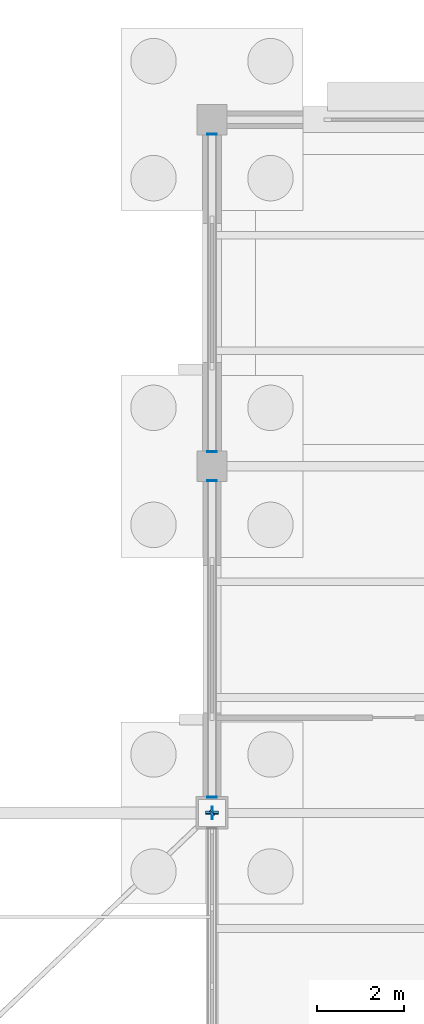
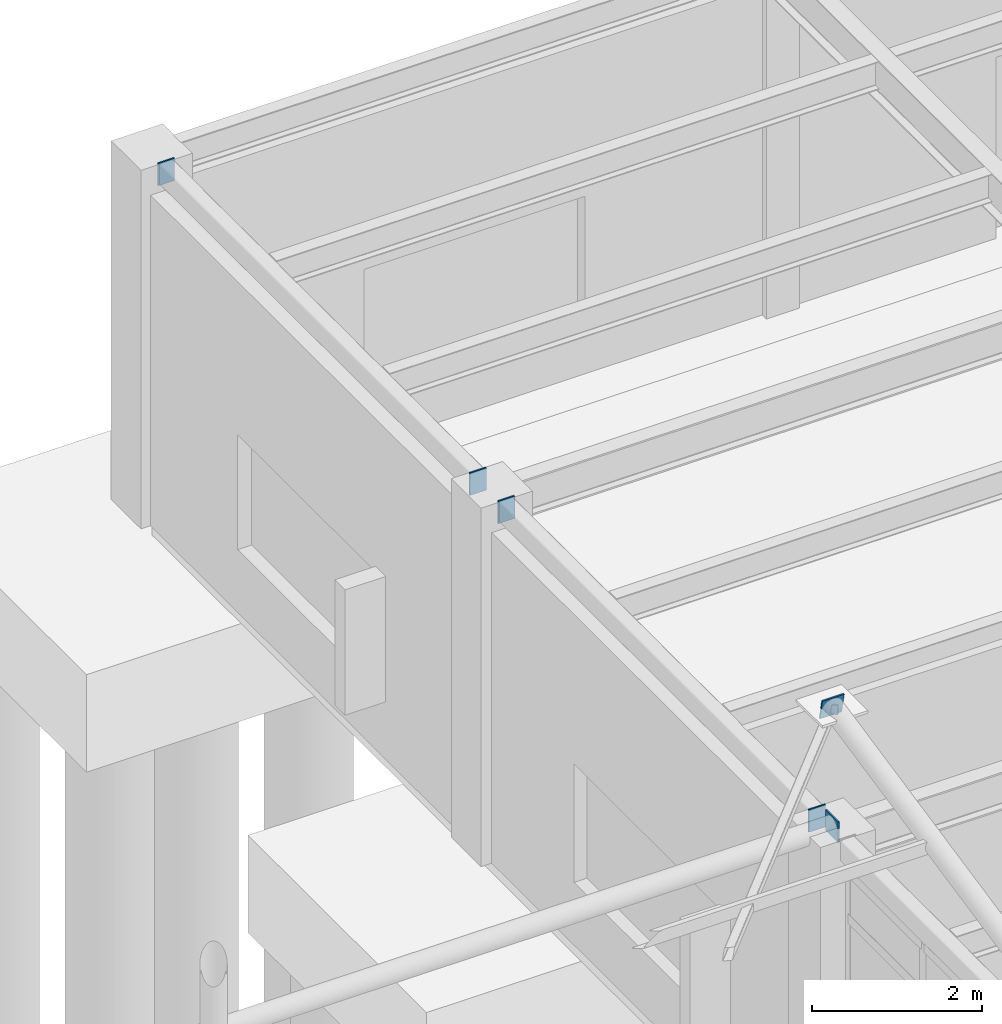
# One storey, part 114 of 138: 7 discrete accessories.
"""IFC4 building model written with IfcOpenShell, lengths in metres."""

from ifc_helpers import new_model, si_unit, direction, frame, origin, origin_2d, place, context, subcontext, project, spatial, rectangle, extrude, material, layer, layer_set, type_object, element, save


model = new_model("IFC4")

# Units and contexts
model_context = context("Model", 3, precision=1e-05, world=origin(), true_north=direction((0.0, 1.0)))
body_context = subcontext(model_context, "Body", "Model", "MODEL_VIEW")
ifc_project = project(units=[si_unit("LENGTHUNIT", "METRE"), si_unit("AREAUNIT", "SQUARE_METRE"), si_unit("VOLUMEUNIT", "CUBIC_METRE"), si_unit("PLANEANGLEUNIT", "RADIAN"), si_unit("MASSUNIT", "GRAM", prefix="KILO")], contexts=[model_context])

# Site, building, storey
site_placement = place(None, origin())
site = spatial("IfcSite", under=ifc_project, at=site_placement, CompositionType="ELEMENT")
building_placement = place(site_placement, origin())
building = spatial("IfcBuilding", under=site, at=building_placement, Name="Kranzveld Transit Interchange", CompositionType="ELEMENT")
storey_placement = place(building_placement, origin())
storey = spatial("IfcBuildingStorey", under=building, at=storey_placement, Name="L00", CompositionType="ELEMENT", Elevation=0.0)

# Discrete accessories
ifc_material = material(Name="Steel S355JR", Category="steel")
ifc_layer = layer(ifc_material, 0.02001953125)
ifc_layer_set = layer_set([ifc_layer], Name="Steel S355JR")
discrete_accessory_type = type_object("IfcDiscreteAccessoryType", Name="Hollow Section End Cap Bracket 20 S355JR", PredefinedType="BRACKET", material=ifc_layer_set)
discrete_accessory_1_placement = place(storey_placement, frame((100.800048828125, 96.368896484375, 5.0), z_axis=(0.0, -1.0, 0.0), x_axis=(1.0, 0.0, 0.0)))
element("IfcDiscreteAccessory", 1, at=discrete_accessory_1_placement, inside=storey, type_object=discrete_accessory_type, Name="Hollow Section End Cap SP-RHS300-1", PredefinedType="BRACKET", context=body_context, shape_type="SweptSolid", body=[
    extrude(rectangle(XDim=0.22412109375, YDim=0.323974609375, at=origin_2d()), origin(), (0.0, 0.0, 1.0), 0.019775390625),
])
for number, where, z_axis, x_axis, name in (
    (2, (100.800048828125, 103.656005859375, 5.0), (0.0, 1.0, 0.0), (-1.0, 0.0, 0.0), "Hollow Section End Cap SP-RHS300-2"),
    (3, (100.800048828125, 104.343994140625, 5.0), (0.0, -1.0, 0.0), (1.0, 0.0, 0.0), "Hollow Section End Cap SP-RHS300-1"),
    (4, (100.800048828125, 111.656005859375, 5.0), (0.0, 1.0, 0.0), (-1.0, 0.0, 0.0), "Hollow Section End Cap SP-RHS300-2"),
):
    element("IfcDiscreteAccessory", number, at=place(storey_placement, frame(where, z_axis=z_axis, x_axis=x_axis)), inside=storey, type_object=discrete_accessory_type, Name=name, PredefinedType="BRACKET", context=body_context, shape_type="SweptSolid", body=[
        extrude(rectangle(XDim=0.22412109375, YDim=0.323974609375, at=origin_2d()), origin(), (0.0, 0.0, 1.0), 0.02001953125),
    ])
for number, where, z_axis, x_axis, name in (
    (5, (100.800048828125, 95.99609375, 6.819091796875), (0.0, 0.978158850918, 0.20785875582), (-1.0, 0.0, 0.0), "Hollow Section End Cap ST-CHS273-2"),
    (6, (100.7958984375, 96.0, 5.10009765625), (1.0, 0.0, 0.0), (0.0, 1.0, 0.0), "Hollow Section End Cap CH-CHS273-2"),
):
    element("IfcDiscreteAccessory", number, at=place(storey_placement, frame(where, z_axis=z_axis, x_axis=x_axis)), inside=storey, type_object=discrete_accessory_type, Name=name, PredefinedType="BRACKET", context=body_context, shape_type="SweptSolid", body=[
        extrude(rectangle(XDim=0.297119140625, YDim=0.297119140625, at=origin_2d()), origin(), (0.0, 0.0, 1.0), 0.02001953125),
    ])
discrete_accessory_2_placement = place(storey_placement, frame((100.797119140625, 95.997314453125, 6.779541015625), z_axis=(0.718764316775, 0.682216978634, 0.134006906517), x_axis=(-0.688426310031, 0.725306290926, 0.0)))
element("IfcDiscreteAccessory", 7, at=discrete_accessory_2_placement, inside=storey, type_object=discrete_accessory_type, Name="Hollow Section End Cap BR-SHS120-2", PredefinedType="BRACKET", context=body_context, shape_type="SweptSolid", body=[
    extrude(rectangle(XDim=0.14404296875, YDim=0.14404296875, at=origin_2d()), origin(), (0.0, 0.0, 1.0), 0.02001953125),
])

save(model, "model.ifc")
